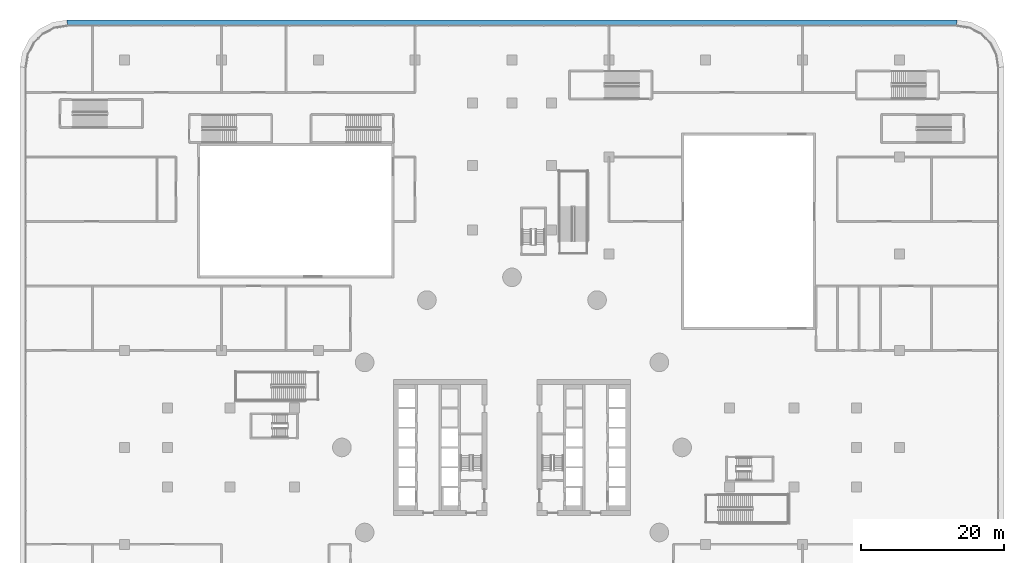
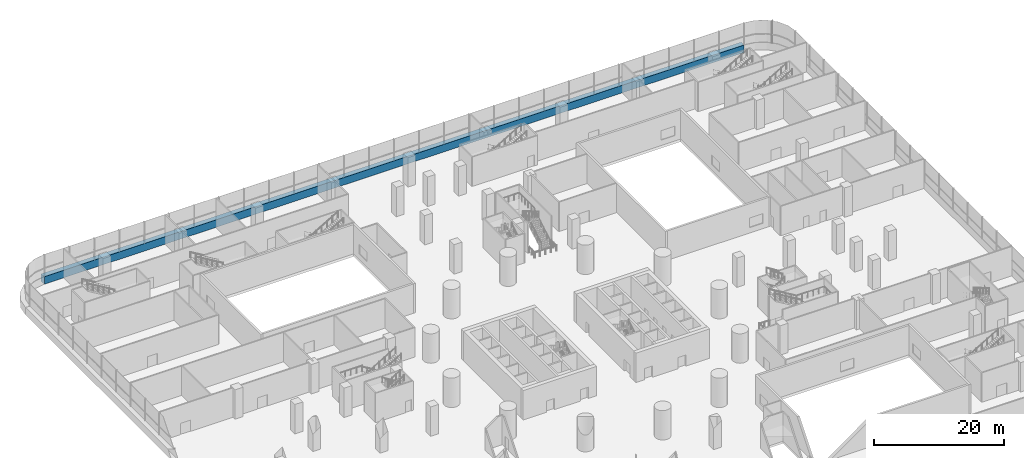
# One storey, part 15 of 52: 1 member, 1 element without a shape of its own.
"""IFC4 building model written with IfcOpenShell, lengths in metres."""

from ifc_helpers import new_model, si_unit, direction, frame, origin, place, context, subcontext, project, spatial, polyline, outline, extrude, material, layer, layer_set, type_object, element, aggregate, save


model = new_model("IFC4")

# Units and contexts
model_context = context("Model", 3, precision=1e-05, world=origin(), true_north=direction((0.0, 1.0)))
body_context = subcontext(model_context, "Body", "Model", "MODEL_VIEW")
ifc_project = project(units=[si_unit("LENGTHUNIT", "METRE"), si_unit("AREAUNIT", "SQUARE_METRE"), si_unit("VOLUMEUNIT", "CUBIC_METRE"), si_unit("PLANEANGLEUNIT", "RADIAN"), si_unit("MASSUNIT", "GRAM", prefix="KILO")], contexts=[model_context])

# Site, building, storey
site_placement = place(None, origin())
site = spatial("IfcSite", under=ifc_project, at=site_placement, CompositionType="ELEMENT")
building_placement = place(site_placement, origin())
building = spatial("IfcBuilding", under=site, at=building_placement, Name="Tamarind Cross Interchange Tower", CompositionType="ELEMENT")
storey_placement = place(building_placement, frame((0.0, 0.0, 9.0)))
storey = spatial("IfcBuildingStorey", under=building, at=storey_placement, Name="L01", CompositionType="ELEMENT", Elevation=9.0)

# Curtain wall, member
ifc_material_1 = material(Name="Aluminium 6063-T6", Category="aluminium")
ifc_layer = layer(ifc_material_1, 0.199951171875)
ifc_layer_set = layer_set([ifc_layer], Name="Aluminium 6063-T6")
curtain_wall_type = type_object("IfcCurtainWallType", Name="Podium shopfront and station curtain wall", PredefinedType="NOTDEFINED", material=ifc_layer_set)
curtain_wall_placement = place(storey_placement, origin())
curtain_wall = element("IfcCurtainWall", 1, at=curtain_wall_placement, inside=storey, type_object=curtain_wall_type, Name="CWS-L01-02", PredefinedType="NOTDEFINED")
ifc_material_2 = material(Name="Aluminium and insulated spandrel panel", Category="aluminium")
member_type = type_object("IfcMemberType", Name="Floor-edge blade transom", PredefinedType="USERDEFINED", material=ifc_material_2)
member_placement = place(storey_placement, origin())
member = element("IfcMember", 2, at=member_placement, type_object=member_type, Name="CWT-L01-02", ObjectType="TRANSOM", PredefinedType="USERDEFINED", context=body_context, shape_type="SweptSolid", body=[
    extrude(outline(polyline([(61.976318359375, 58.699951171875), (-61.976318359375, 58.699951171875), (-62.047119140625, 59.60009765625), (62.047119140625, 59.60009765625), (61.976318359375, 58.699951171875)])), origin(), (0.0, 0.0, 1.0), 1.39990234375),
])
aggregate(curtain_wall, [member])

save(model, "model.ifc")
